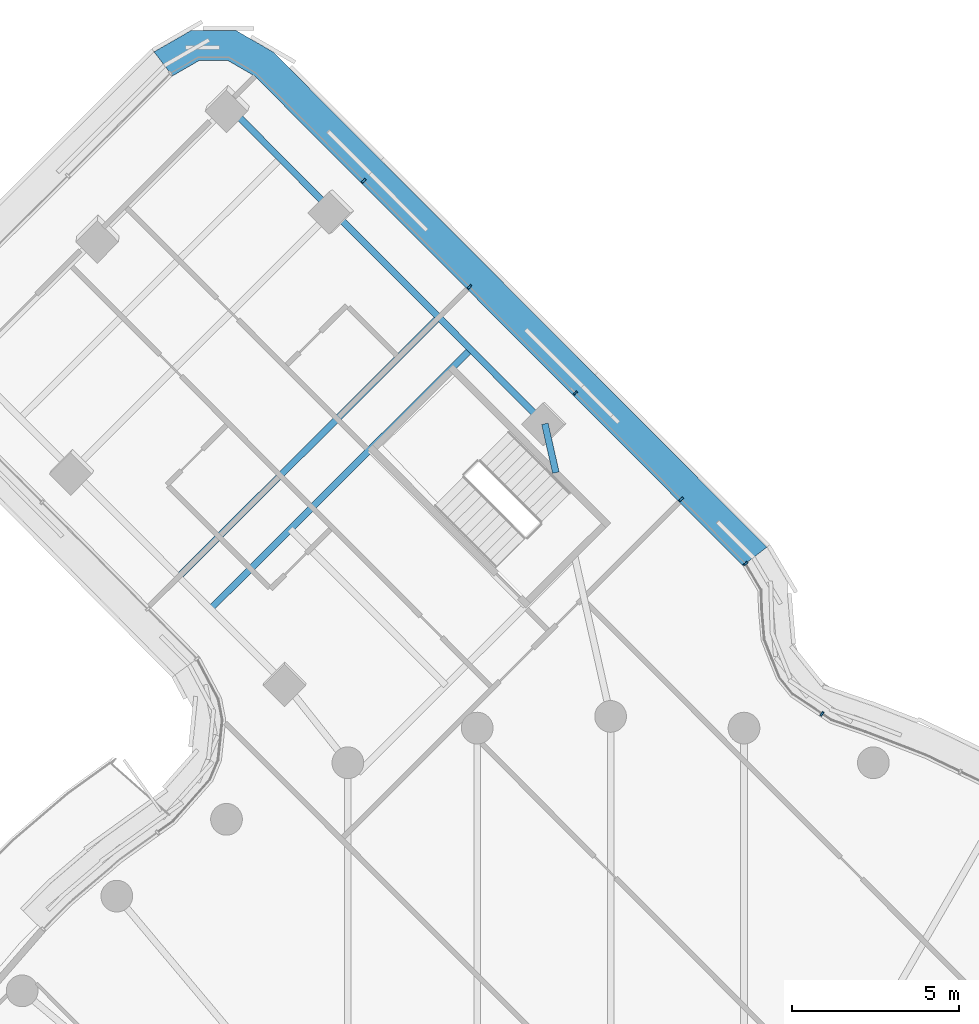
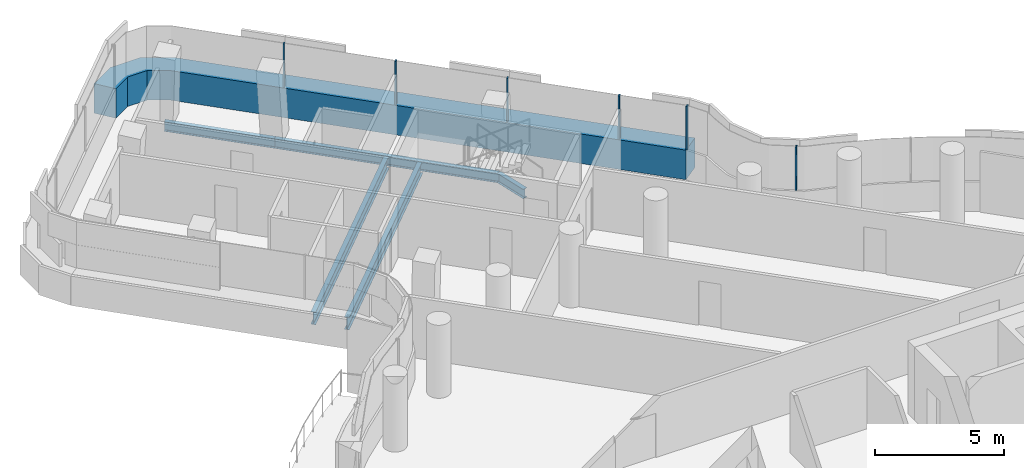
# One storey, part 15 of 31: 7 members, 5 beams, 2 elements without a shape of their own.
"""IFC4 building model written with IfcOpenShell, lengths in metres."""

from ifc_helpers import new_model, si_unit, direction, frame, origin, origin_2d, place, context, subcontext, project, spatial, polyline, rectangle, i_section, outline, extrude, material, layer, layer_set, material_profile, profile_set, type_object, element, aggregate, save


model = new_model("IFC4")

# Units and contexts
model_context = context("Model", 3, precision=1e-05, world=origin(), true_north=direction((0.0, 1.0)))
body_context = subcontext(model_context, "Body", "Model", "MODEL_VIEW")
ifc_project = project(units=[si_unit("LENGTHUNIT", "METRE"), si_unit("AREAUNIT", "SQUARE_METRE"), si_unit("VOLUMEUNIT", "CUBIC_METRE"), si_unit("PLANEANGLEUNIT", "RADIAN"), si_unit("MASSUNIT", "GRAM", prefix="KILO")], contexts=[model_context])

# Site, building, storey
site_placement = place(None, origin())
site = spatial("IfcSite", under=ifc_project, at=site_placement, CompositionType="ELEMENT")
building_placement = place(site_placement, origin())
building = spatial("IfcBuilding", under=site, at=building_placement, Name="Tamarind Cross Interchange Tower", CompositionType="ELEMENT")
storey_placement = place(building_placement, frame((0.0, 0.0, 196.89990234375)))
storey = spatial("IfcBuildingStorey", under=building, at=storey_placement, Name="L49", CompositionType="ELEMENT", Elevation=196.89990234375)

# Beams
ifc_material_1 = material(Name="Steel Q355B", Category="steel")
ifc_material_profile_1 = material_profile(ifc_material_1, i_section(OverallWidth=0.198974609375, OverallDepth=0.446044921875, WebThickness=0.008056640625, FlangeThickness=0.011962890625, FilletRadius=0.012939453125, at=origin_2d()), Name="HN 446x199x8x12")
ifc_profile_set_1 = profile_set([ifc_material_profile_1], Name="Steel Q355B")
beam_type_1 = type_object("IfcBeamType", Name="Composite beam HN 446x199x8x12 Q355B", PredefinedType="BEAM", material=ifc_profile_set_1)
beam_1_placement = place(storey_placement, frame((-11.452392578125, 41.27001953125, -0.36279296875), z_axis=(0.706197072025, -0.708015321489, 0.0), x_axis=(0.708015321489, 0.706197072025, 0.0)))
element("IfcBeam", 1, at=beam_1_placement, inside=storey, type_object=beam_type_1, Name="Beam N-edgeem5", PredefinedType="BEAM", context=body_context, shape_type="SweptSolid", body=[
    extrude(i_section(OverallWidth=0.198974609375, OverallDepth=0.446044921875, WebThickness=0.008056640625, FlangeThickness=0.011962890625, FilletRadius=0.012939453125, at=origin_2d()), origin(), (0.0, 0.0, 1.0), 4.430908203125),
])
beam_2_placement = place(storey_placement, frame((-8.3232421875, 38.1328125, -0.36279296875), z_axis=(0.706197477315, -0.708014917239, 0.0), x_axis=(0.708014917239, 0.706197477315, 0.0)))
element("IfcBeam", 2, at=beam_2_placement, inside=storey, type_object=beam_type_1, Name="Beam N-edgeem6", PredefinedType="BEAM", context=body_context, shape_type="SweptSolid", body=[
    extrude(i_section(OverallWidth=0.198974609375, OverallDepth=0.446044921875, WebThickness=0.008056640625, FlangeThickness=0.011962890625, FilletRadius=0.012939453125, at=origin_2d()), origin(), (0.0, 0.0, 1.0), 9.000244140625),
])
beam_3_placement = place(storey_placement, frame((-1.96728515625, 31.760498046875, -0.36279296875), z_axis=(0.219000351398, -0.975724779888, 0.0), x_axis=(0.975724779888, 0.219000351398, 0.0)))
element("IfcBeam", 3, at=beam_3_placement, inside=storey, type_object=beam_type_1, Name="Beam N-linkemt0", PredefinedType="BEAM", context=body_context, shape_type="SweptSolid", body=[
    extrude(i_section(OverallWidth=0.198974609375, OverallDepth=0.446044921875, WebThickness=0.008056640625, FlangeThickness=0.011962890625, FilletRadius=0.012939453125, at=origin_2d()), origin(), (0.0, 0.0, 1.0), 1.498291015625),
])
ifc_material_profile_2 = material_profile(ifc_material_1, i_section(OverallWidth=0.198974609375, OverallDepth=0.595947265625, WebThickness=0.010009765625, FlangeThickness=0.014892578125, FilletRadius=0.012939453125, at=origin_2d()), Name="HN 596x199x10x15")
ifc_profile_set_2 = profile_set([ifc_material_profile_2], Name="Steel Q355B")
beam_type_2 = type_object("IfcBeamType", Name="Composite beam HN 596x199x10x15 Q355B", PredefinedType="BEAM", material=ifc_profile_set_2)
for number, where, z_axis, x_axis, name in (
    (4, (-4.19189453125, 33.990966796875, -0.43798828125), (-0.70800508779, -0.706207331924, 0.0), (0.706207331924, -0.70800508779, 0.0), "Beam N-x334"),
    (5, (-5.145263671875, 34.94677734375, -0.43798828125), (-0.70800508779, -0.706207331924, 0.0), (0.706207331924, -0.70800508779, 0.0), "Beam N-x348"),
):
    element("IfcBeam", number, at=place(storey_placement, frame(where, z_axis=z_axis, x_axis=x_axis)), inside=storey, type_object=beam_type_2, Name=name, PredefinedType="BEAM", context=body_context, shape_type="SweptSolid", body=[
        extrude(i_section(OverallWidth=0.198974609375, OverallDepth=0.595947265625, WebThickness=0.010009765625, FlangeThickness=0.014892578125, FilletRadius=0.012939453125, at=origin_2d()), origin(), (0.0, 0.0, 1.0), 11.0),
    ])

# Curtain wall, member
ifc_material_2 = material(Name="Aluminium 6063-T6", Category="aluminium")
ifc_layer = layer(ifc_material_2, 0.139892578125)
ifc_layer_set = layer_set([ifc_layer], Name="Aluminium 6063-T6")
curtain_wall_type = type_object("IfcCurtainWallType", Name="Hotel curtain wall, 4.5 m bays", PredefinedType="NOTDEFINED", material=ifc_layer_set)
curtain_wall_1_placement = place(storey_placement, origin())
curtain_wall_1 = element("IfcCurtainWall", 6, at=curtain_wall_1_placement, inside=storey, type_object=curtain_wall_type, Name="CWS-L49-03", PredefinedType="NOTDEFINED")
ifc_material_3 = material(Name="Aluminium and insulated spandrel panel", Category="aluminium")
member_type_1 = type_object("IfcMemberType", Name="Floor-edge blade transom", PredefinedType="USERDEFINED", material=ifc_material_3)
member_1_placement = place(storey_placement, origin())
member_1 = element("IfcMember", 7, at=member_1_placement, type_object=member_type_1, Name="CWT-L49-03", ObjectType="TRANSOM", PredefinedType="USERDEFINED", context=body_context, shape_type="SweptSolid", body=[
    extrude(outline(polyline([(3.962890625, 27.51416015625), (-10.657958984375, 42.1728515625), (-11.4501953125, 42.631591796875), (-12.32470703125, 42.632568359375), (-13.117919921875, 42.176025390625), (-13.669677734375, 42.896728515625), (-12.564697265625, 43.532958984375), (-11.207763671875, 43.53125), (-10.1044921875, 42.892333984375), (4.6806640625, 28.069091796875), (3.962890625, 27.51416015625)])), origin(), (0.0, 0.0, 1.0), 1.400146484375),
])

curtain_wall_2_placement = place(storey_placement, origin())
curtain_wall_2 = element("IfcCurtainWall", 8, at=curtain_wall_2_placement, inside=storey, type_object=curtain_wall_type, Name="CWS-L49-02", PredefinedType="NOTDEFINED")
ifc_material_profile_3 = material_profile(ifc_material_2, rectangle(XDim=0.06005859375, YDim=0.139892578125, at=origin_2d()), Name="Mullion CW2")
ifc_profile_set_3 = profile_set([ifc_material_profile_3], Name="Aluminium 6063-T6")
member_type_2 = type_object("IfcMemberType", Name="Mullion CW2", PredefinedType="MULLION", material=ifc_profile_set_3)
member_2_placement = place(storey_placement, frame((6.330810546875, 23.07763671875, 1.400146484375), z_axis=(0.0, 0.0, 1.0), x_axis=(-0.830711967262, 0.556702458632, 0.0)))
member_2 = element("IfcMember", 9, at=member_2_placement, type_object=member_type_2, Name="CWM-L49-02-13", PredefinedType="MULLION", context=body_context, shape_type="SweptSolid", body=[
    extrude(rectangle(XDim=0.06005859375, YDim=0.139892578125, at=origin_2d()), origin(), (0.0, 0.0, 1.0), 2.06005859375),
])
aggregate(curtain_wall_2, [member_2])

# Member
member_3_placement = place(storey_placement, frame((4.042724609375, 27.575927734375, 1.400146484375), z_axis=(0.0, 0.0, 1.0), x_axis=(-0.6116311388, 0.791143065475, 0.0)))
member_3 = element("IfcMember", 10, at=member_3_placement, type_object=member_type_2, Name="CWM-L49-03-00", PredefinedType="MULLION", context=body_context, shape_type="SweptSolid", body=[
    extrude(rectangle(XDim=0.06005859375, YDim=0.139892578125, at=origin_2d()), origin(), (0.0, 0.0, 1.0), 2.06005859375),
])

member_4_placement = place(storey_placement, frame((2.117919921875, 29.505615234375, 1.400146484375), z_axis=(0.0, 0.0, 1.0), x_axis=(-0.706197875304, 0.708014520272, 0.0)))
member_4 = element("IfcMember", 11, at=member_4_placement, type_object=member_type_2, Name="CWM-L49-03-01", PredefinedType="MULLION", context=body_context, shape_type="SweptSolid", body=[
    extrude(rectangle(XDim=0.06005859375, YDim=0.139892578125, at=origin_2d()), origin(), (0.0, 0.0, 1.0), 2.06005859375),
])

member_5_placement = place(storey_placement, frame((-1.052001953125, 32.683837890625, 1.400146484375), z_axis=(0.0, 0.0, 1.0), x_axis=(-0.706197875304, 0.708014520272, 0.0)))
member_5 = element("IfcMember", 12, at=member_5_placement, type_object=member_type_2, Name="CWM-L49-03-02", PredefinedType="MULLION", context=body_context, shape_type="SweptSolid", body=[
    extrude(rectangle(XDim=0.06005859375, YDim=0.139892578125, at=origin_2d()), origin(), (0.0, 0.0, 1.0), 2.06005859375),
])

member_6_placement = place(storey_placement, frame((-4.22216796875, 35.862060546875, 1.400146484375), z_axis=(0.0, 0.0, 1.0), x_axis=(-0.706197875304, 0.708014520272, 0.0)))
member_6 = element("IfcMember", 13, at=member_6_placement, type_object=member_type_2, Name="CWM-L49-03-03", PredefinedType="MULLION", context=body_context, shape_type="SweptSolid", body=[
    extrude(rectangle(XDim=0.06005859375, YDim=0.139892578125, at=origin_2d()), origin(), (0.0, 0.0, 1.0), 2.06005859375),
])

member_7_placement = place(storey_placement, frame((-7.39208984375, 39.0400390625, 1.400146484375), z_axis=(0.0, 0.0, 1.0), x_axis=(-0.706197875304, 0.708014520272, 0.0)))
member_7 = element("IfcMember", 14, at=member_7_placement, type_object=member_type_2, Name="CWM-L49-03-04", PredefinedType="MULLION", context=body_context, shape_type="SweptSolid", body=[
    extrude(rectangle(XDim=0.06005859375, YDim=0.139892578125, at=origin_2d()), origin(), (0.0, 0.0, 1.0), 2.06005859375),
])

aggregate(curtain_wall_1, [member_3, member_4, member_5, member_6, member_7, member_1])

save(model, "model.ifc")
